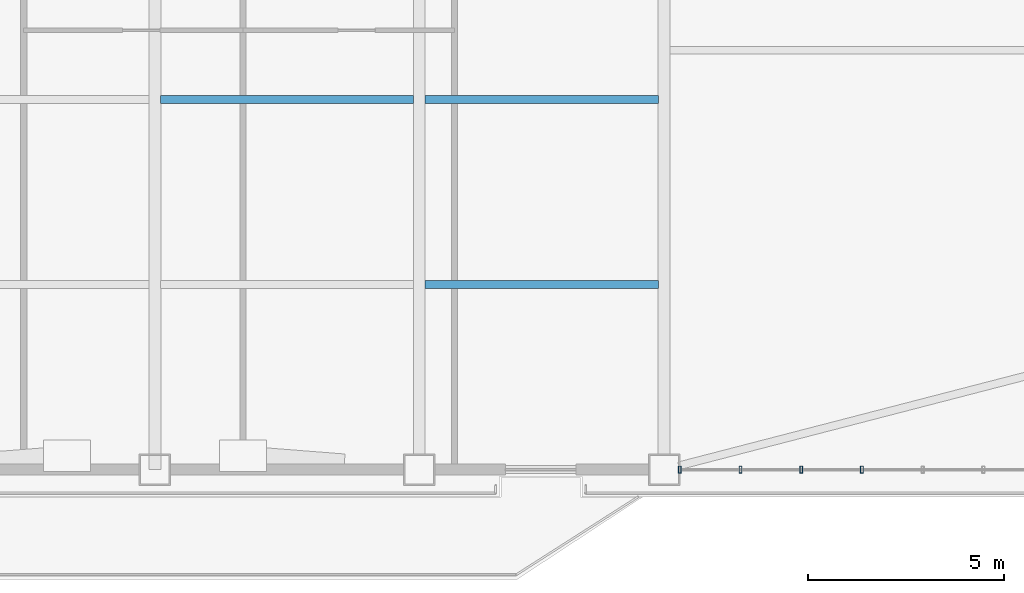
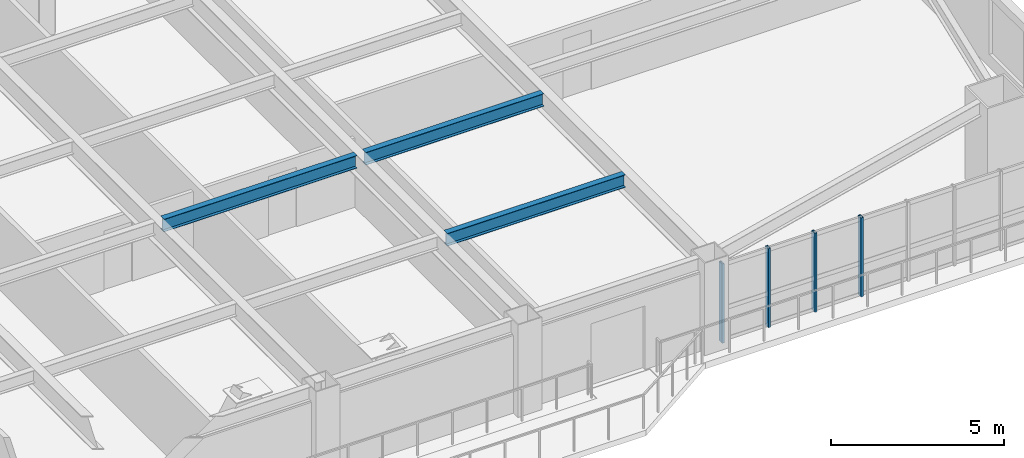
# One storey, part 4 of 16: 4 members, 3 beams, 1 element without a shape of its own.
"""IFC4 building model written with IfcOpenShell, lengths in metres."""

from ifc_helpers import new_model, si_unit, direction, frame, origin, origin_2d, place, context, subcontext, project, spatial, hollow_rectangle, i_section, extrude, source, transform, mapped, material, layer, layer_set, material_profile, profile_set, type_object, element, aggregate, save


model = new_model("IFC4")

# Units and contexts
model_context = context("Model", 3, precision=1e-05, world=origin(), true_north=direction((0.0, 1.0)))
body_context = subcontext(model_context, "Body", "Model", "MODEL_VIEW")
ifc_project = project(units=[si_unit("LENGTHUNIT", "METRE"), si_unit("AREAUNIT", "SQUARE_METRE"), si_unit("VOLUMEUNIT", "CUBIC_METRE"), si_unit("PLANEANGLEUNIT", "RADIAN"), si_unit("MASSUNIT", "GRAM", prefix="KILO")], contexts=[model_context])

# Site, building, storey
site_placement = place(None, origin())
site = spatial("IfcSite", under=ifc_project, at=site_placement, CompositionType="ELEMENT")
building_placement = place(site_placement, origin())
building = spatial("IfcBuilding", under=site, at=building_placement, Name="Giltprow Tower", CompositionType="ELEMENT")
storey_placement = place(building_placement, frame((0.0, 0.0, 163.199951171875)))
storey = spatial("IfcBuildingStorey", under=building, at=storey_placement, Name="L40", CompositionType="ELEMENT", Elevation=163.199951171875)

# Beams
ifc_material_1 = material(Name="Structural steel Q355B", Category="steel")
ifc_material_profile_1 = material_profile(ifc_material_1, i_section(OverallWidth=0.199951171875, OverallDepth=0.449951171875, WebThickness=0.009033203125, FlangeThickness=0.013916015625, at=origin_2d()), Name="HN 450x200x9x14")
ifc_profile_set_1 = profile_set([ifc_material_profile_1], Name="Structural steel Q355B")
beam_type = type_object("IfcBeamType", Name="BM-JOIST-HN450", PredefinedType="JOIST", material=ifc_profile_set_1)
shared_shape_1 = source(origin(), body_context, "Body", "SweptSolid", [
    extrude(i_section(OverallWidth=0.199951171875, OverallDepth=0.449951171875, WebThickness=0.009033203125, FlangeThickness=0.013916015625, at=origin_2d()), origin(), (0.0, 0.0, 1.0), 6.4599609375),
])
beam_placement = place(storey_placement, frame((37.695068359375, 18.549072265625, 3.045166015625), z_axis=(1.0, 0.0, 0.0), x_axis=(0.0, 1.0, 0.0)))
element("IfcBeam", 1, at=beam_placement, inside=storey, type_object=beam_type, Name="L40 Composite Floor Joist 2-3", PredefinedType="JOIST", context=body_context, shape_type="MappedRepresentation", body=[
    mapped(shared_shape_1, transform((0.0, 0.0, 0.0), x_axis=(1.0, 0.0, 0.0), y_axis=(0.0, 1.0, 0.0), z_axis=(0.0, 0.0, 1.0), scale=1.0)),
])
shared_shape_2 = source(origin(), body_context, "Body", "SweptSolid", [
    extrude(i_section(OverallWidth=0.199951171875, OverallDepth=0.449951171875, WebThickness=0.009033203125, FlangeThickness=0.013916015625, at=origin_2d()), origin(), (0.0, 0.0, 1.0), 5.9599609375),
])
for number, where, z_axis, x_axis, name in (
    (2, (44.445068359375, 13.822998046875, 3.045166015625), (1.0, 0.0, 0.0), (0.0, 1.0, 0.0), "L40 Composite Floor Joist 1-4"),
    (3, (44.445068359375, 18.549072265625, 3.045166015625), (1.0, 0.0, 0.0), (0.0, 1.0, 0.0), "L40 Composite Floor Joist 2-4"),
):
    element("IfcBeam", number, at=place(storey_placement, frame(where, z_axis=z_axis, x_axis=x_axis)), inside=storey, type_object=beam_type, Name=name, PredefinedType="JOIST", context=body_context, shape_type="MappedRepresentation", body=[
        mapped(shared_shape_2, transform((0.0, 0.0, 0.0), x_axis=(1.0, 0.0, 0.0), y_axis=(0.0, 1.0, 0.0), z_axis=(0.0, 0.0, 1.0), scale=1.0)),
    ])

# Curtain wall, members
ifc_material_2 = material(Name="Anodized bronze", Category="metal")
ifc_layer = layer(ifc_material_2, 0.179931640625, Name="Anodized bronze")
ifc_layer_set = layer_set([ifc_layer], Name="Anodized bronze")
curtain_wall_type = type_object("IfcCurtainWallType", Name="CW-HTL-BRONZE", PredefinedType="NOTDEFINED", material=ifc_layer_set)
curtain_wall_placement = place(storey_placement, origin())
curtain_wall = element("IfcCurtainWall", 4, at=curtain_wall_placement, inside=storey, type_object=curtain_wall_type, Name="L40 South Recessed Curtain Wall 6", PredefinedType="NOTDEFINED")
ifc_material_profile_2 = material_profile(ifc_material_2, hollow_rectangle(XDim=0.074951171875, YDim=0.179931640625, WallThickness=0.008056640625, at=origin_2d()), Name="RHS 180x75x8")
ifc_profile_set_2 = profile_set([ifc_material_profile_2], Name="Anodized bronze")
member_type = type_object("IfcMemberType", Name="CW-MULLION-180x75", PredefinedType="MULLION", material=ifc_profile_set_2)
shared_shape_3 = source(origin(), body_context, "Body", "SweptSolid", [
    extrude(hollow_rectangle(XDim=0.074951171875, YDim=0.179931640625, WallThickness=0.008056640625, at=origin_2d()), origin(), (0.0, 0.0, 1.0), 2.80517578125),
])
member_1_placement = place(storey_placement, frame((50.949951171875, 9.097900390625, -0.02001953125), z_axis=(0.0, 0.0, 1.0), x_axis=(1.0, 0.0, 0.0)))
member_1 = element("IfcMember", 5, at=member_1_placement, type_object=member_type, Name="L40 South Recessed Curtain Wall 6 Mullion 1", PredefinedType="MULLION", context=body_context, shape_type="MappedRepresentation", body=[
    mapped(shared_shape_3, transform((0.0, 0.0, 0.0), x_axis=(1.0, 0.0, 0.0), y_axis=(0.0, 1.0, 0.0), z_axis=(0.0, 0.0, 1.0), scale=1.0)),
])
member_2_placement = place(storey_placement, frame((52.5, 9.097900390625, -0.02001953125), z_axis=(0.0, 0.0, 1.0), x_axis=(1.0, 0.0, 0.0)))
member_2 = element("IfcMember", 6, at=member_2_placement, type_object=member_type, Name="L40 South Recessed Curtain Wall 6 Mullion 2", PredefinedType="MULLION", context=body_context, shape_type="MappedRepresentation", body=[
    mapped(shared_shape_3, transform((0.0, 0.0, 0.0), x_axis=(1.0, 0.0, 0.0), y_axis=(0.0, 1.0, 0.0), z_axis=(0.0, 0.0, 1.0), scale=1.0)),
])
member_3_placement = place(storey_placement, frame((54.051025390625, 9.097900390625, -0.02001953125), z_axis=(0.0, 0.0, 1.0), x_axis=(1.0, 0.0, 0.0)))
member_3 = element("IfcMember", 7, at=member_3_placement, type_object=member_type, Name="L40 South Recessed Curtain Wall 6 Mullion 3", PredefinedType="MULLION", context=body_context, shape_type="MappedRepresentation", body=[
    mapped(shared_shape_3, transform((0.0, 0.0, 0.0), x_axis=(1.0, 0.0, 0.0), y_axis=(0.0, 1.0, 0.0), z_axis=(0.0, 0.0, 1.0), scale=1.0)),
])
member_4_placement = place(storey_placement, frame((55.60107421875, 9.097900390625, -0.02001953125), z_axis=(0.0, 0.0, 1.0), x_axis=(1.0, 0.0, 0.0)))
member_4 = element("IfcMember", 8, at=member_4_placement, type_object=member_type, Name="L40 South Recessed Curtain Wall 6 Mullion 4", PredefinedType="MULLION", context=body_context, shape_type="MappedRepresentation", body=[
    mapped(shared_shape_3, transform((0.0, 0.0, 0.0), x_axis=(1.0, 0.0, 0.0), y_axis=(0.0, 1.0, 0.0), z_axis=(0.0, 0.0, 1.0), scale=1.0)),
])
aggregate(curtain_wall, [member_1, member_2, member_3, member_4])

save(model, "model.ifc")
